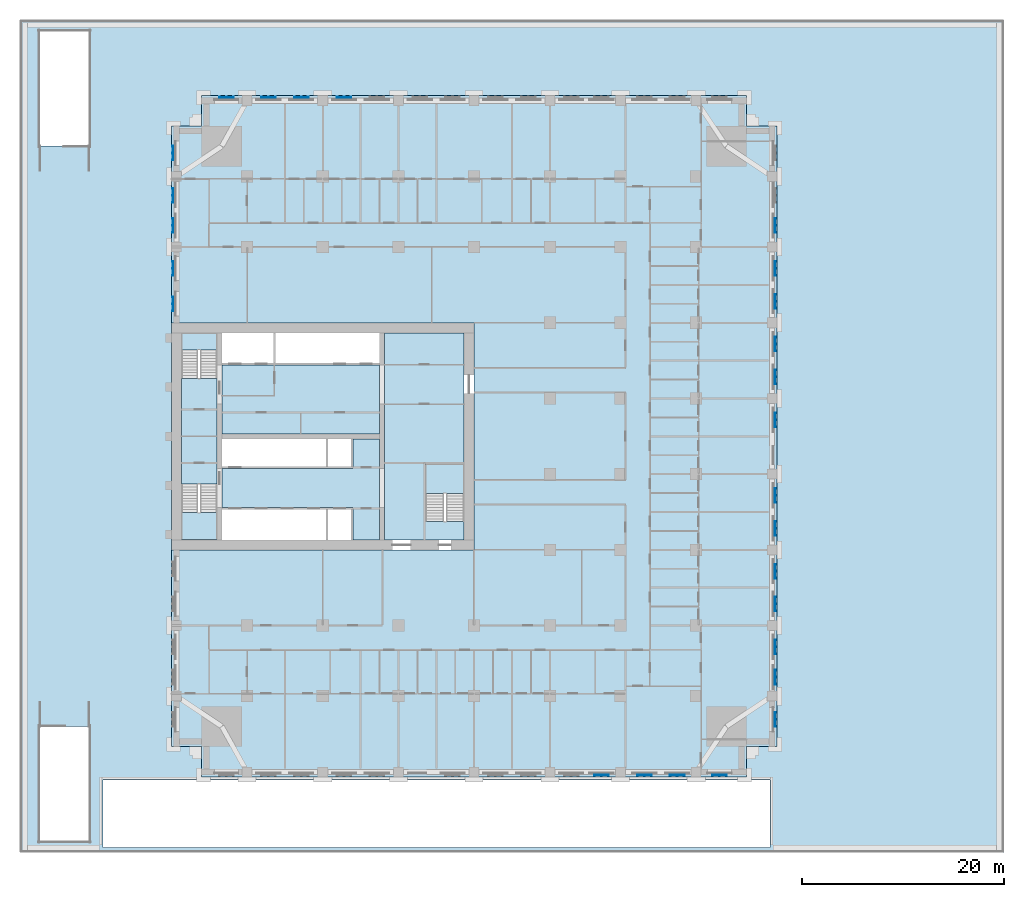
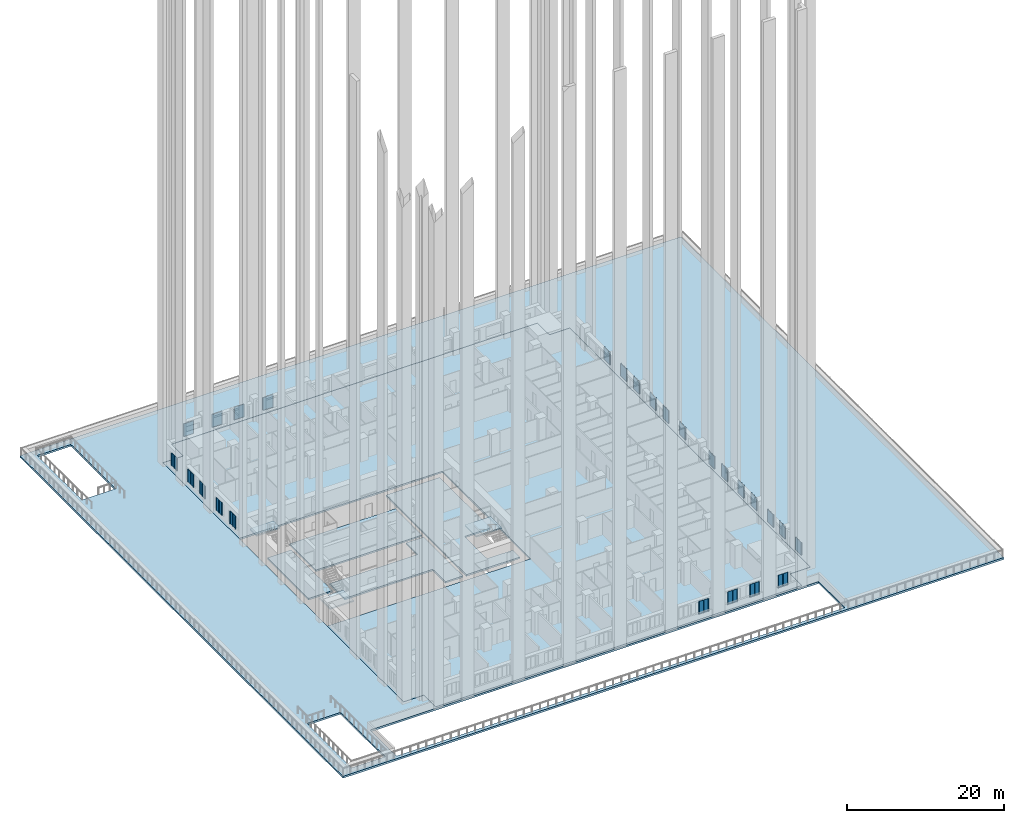
# One storey, part 2 of 27: 26 plates, 9 slabs, 3 elements without a shape of their own.
"""IFC4 building model written with IfcOpenShell, lengths in metres."""

from ifc_helpers import new_model, si_unit, direction, frame, origin, place, context, subcontext, project, spatial, polyline, outline, extrude, material, layer, layer_set, type_object, element, aggregate, save


model = new_model("IFC4")

# Units and contexts
model_context = context("Model", 3, precision=1e-05, world=origin(), true_north=direction((0.0, 1.0)))
body_context = subcontext(model_context, "Body", "Model", "MODEL_VIEW")
ifc_project = project(units=[si_unit("LENGTHUNIT", "METRE"), si_unit("AREAUNIT", "SQUARE_METRE"), si_unit("VOLUMEUNIT", "CUBIC_METRE"), si_unit("PLANEANGLEUNIT", "RADIAN"), si_unit("MASSUNIT", "GRAM", prefix="KILO")], contexts=[model_context])

# Site, building, storey
site_placement = place(None, origin())
site = spatial("IfcSite", under=ifc_project, at=site_placement, CompositionType="ELEMENT")
building_placement = place(site_placement, origin())
building = spatial("IfcBuilding", under=site, at=building_placement, Name="Tamorin Gate", CompositionType="ELEMENT")
storey_placement = place(building_placement, frame((0.0, 0.0, 34.0)))
storey = spatial("IfcBuildingStorey", under=building, at=storey_placement, Name="L06", CompositionType="ELEMENT", Elevation=34.0)

# Slabs
ifc_material_1 = material(Name="Concrete C40/50", Category="concrete")
ifc_layer_1 = layer(ifc_material_1, 0.25)
ifc_layer_set_1 = layer_set([ifc_layer_1], Name="Core floor slab 250 C40/50")
slab_type_1 = type_object("IfcSlabType", Name="Core floor slab 250 C40/50", PredefinedType="FLOOR", material=ifc_layer_set_1)
slab_1_placement = place(storey_placement, frame((0.0, 0.0, -0.25)))
element("IfcSlab", 1, at=slab_1_placement, inside=storey, type_object=slab_type_1, Name="Core floor L06", PredefinedType="FLOOR", context=body_context, shape_type="SweptSolid", body=[
    extrude(outline(polyline([(59.0, 62.800048828125), (59.0, 61.0), (51.10009765625, 61.0), (51.10009765625, 81.5), (59.0, 81.5), (59.0, 68.5), (55.199951171875, 68.5), (55.199951171875, 62.800048828125), (59.0, 62.800048828125)])), origin(), (0.0, 0.0, 1.0), 0.25),
])
slab_2_placement = place(storey_placement, frame((0.0, 0.0, -0.25)))
element("IfcSlab", 2, at=slab_2_placement, inside=storey, type_object=slab_type_1, Name="Core floor L06", PredefinedType="FLOOR", context=body_context, shape_type="SweptSolid", body=[
    extrude(outline(polyline([(50.60009765625, 61.0), (48.0, 61.0), (48.0, 64.199951171875), (35.0, 64.199951171875), (35.0, 68.050048828125), (48.0, 68.050048828125), (48.0, 71.0), (50.60009765625, 71.0), (50.60009765625, 61.0)])), origin(), (0.0, 0.0, 1.0), 0.25),
])
slab_3_placement = place(storey_placement, frame((0.0, 0.0, -0.25)))
element("IfcSlab", 3, at=slab_3_placement, inside=storey, type_object=slab_type_1, Name="Core floor L06", PredefinedType="FLOOR", context=body_context, shape_type="SweptSolid", body=[
    extrude(outline(polyline([(50.60009765625, 71.5), (35.0, 71.5), (35.0, 78.300048828125), (50.60009765625, 78.300048828125), (50.60009765625, 71.5)])), origin(), (0.0, 0.0, 1.0), 0.25),
])
slab_4_placement = place(storey_placement, frame((0.0, 0.0, -0.25)))
element("IfcSlab", 4, at=slab_4_placement, inside=storey, type_object=slab_type_1, Name="Core floor L06", PredefinedType="FLOOR", context=body_context, shape_type="SweptSolid", body=[
    extrude(outline(polyline([(31.0, 66.5), (31.0, 77.0), (34.5, 77.0), (34.5, 66.5), (31.0, 66.5)])), origin(), (0.0, 0.0, 1.0), 0.25),
])

# Stair, slab
stair_type = type_object("IfcStairType", Name="Exit stair", PredefinedType="HALF_TURN_STAIR", material=ifc_material_1)
stair_1_placement = place(storey_placement, origin())
stair_1 = element("IfcStair", 5, at=stair_1_placement, inside=storey, type_object=stair_type, Name="L06 stair ST1", PredefinedType="HALF_TURN_STAIR")
ifc_layer_2 = layer(ifc_material_1, 0.199951171875)
ifc_layer_set_2 = layer_set([ifc_layer_2], Name="Exit stair landing 200")
slab_type_2 = type_object("IfcSlabType", Name="Exit stair landing 200", PredefinedType="LANDING", material=ifc_layer_set_2)
slab_5_placement = place(storey_placement, frame((0.0, 0.0, 1.60009765625)))
slab_5 = element("IfcSlab", 6, at=slab_5_placement, type_object=slab_type_2, Name="ST1 landing 1", PredefinedType="LANDING", context=body_context, shape_type="SweptSolid", body=[
    extrude(outline(polyline([(31.0, 63.699951171875), (31.0, 61.0), (34.5, 61.0), (34.5, 63.699951171875), (31.0, 63.699951171875)])), origin(), (0.0, 0.0, 1.0), 0.199951171875),
])
aggregate(stair_1, [slab_5])

stair_2_placement = place(storey_placement, origin())
stair_2 = element("IfcStair", 7, at=stair_2_placement, inside=storey, type_object=stair_type, Name="L06 stair ST2", PredefinedType="HALF_TURN_STAIR")
slab_6_placement = place(storey_placement, frame((0.0, 0.0, 1.60009765625)))
slab_6 = element("IfcSlab", 8, at=slab_6_placement, type_object=slab_type_2, Name="ST2 landing 1", PredefinedType="LANDING", context=body_context, shape_type="SweptSolid", body=[
    extrude(outline(polyline([(34.5, 79.800048828125), (34.5, 81.5), (31.0, 81.5), (31.0, 79.800048828125), (34.5, 79.800048828125)])), origin(), (0.0, 0.0, 1.0), 0.199951171875),
])
aggregate(stair_2, [slab_6])

stair_3_placement = place(storey_placement, origin())
stair_3 = element("IfcStair", 9, at=stair_3_placement, inside=storey, type_object=stair_type, Name="L06 stair ST3", PredefinedType="HALF_TURN_STAIR")
slab_7_placement = place(storey_placement, frame((0.0, 0.0, 1.60009765625)))
slab_7 = element("IfcSlab", 10, at=slab_7_placement, type_object=slab_type_2, Name="ST3 landing 1", PredefinedType="LANDING", context=body_context, shape_type="SweptSolid", body=[
    extrude(outline(polyline([(59.0, 65.60009765625), (59.0, 68.5), (55.199951171875, 68.5), (55.199951171875, 65.60009765625), (59.0, 65.60009765625)])), origin(), (0.0, 0.0, 1.0), 0.199951171875),
])
aggregate(stair_3, [slab_7])

# Slab
ifc_layer_3 = layer(ifc_material_1, 0.25)
ifc_layer_set_3 = layer_set([ifc_layer_3], Name="Floor slab 250 C40/50")
slab_type_3 = type_object("IfcSlabType", Name="Floor slab 250 C40/50", PredefinedType="FLOOR", material=ifc_layer_set_3)
slab_8_placement = place(storey_placement, frame((0.0, 0.0, -0.25)))
element("IfcSlab", 11, at=slab_8_placement, inside=storey, type_object=slab_type_3, Name="Floor L06", PredefinedType="FLOOR", context=body_context, shape_type="SweptSolid", body=[
    extrude(outline(polyline([(30.0, 102.0), (33.0, 102.0), (33.0, 105.0), (87.0, 105.0), (87.0, 102.0), (90.0, 102.0), (90.0, 40.5), (87.0, 40.5), (87.0, 37.5), (33.0, 37.5), (33.0, 40.5), (30.0, 40.5), (30.0, 60.0), (60.0, 60.0), (60.0, 82.5), (30.0, 82.5), (30.0, 102.0)])), origin(), (0.0, 0.0, 1.0), 0.25),
])

# Plates
ifc_material_2 = material(Name="Perforated pale aluminium sheet", Category="aluminium")
ifc_layer_4 = layer(ifc_material_2, 0.0400390625)
ifc_layer_set_4 = layer_set([ifc_layer_4], Name="Pale metal solar screen 1440")
plate_type = type_object("IfcPlateType", Name="Pale metal solar screen 1440", PredefinedType="SHEET", material=ifc_layer_set_4)
plate_1_placement = place(storey_placement, frame((0.0, 0.0, 0.7099609375)))
element("IfcPlate", 12, at=plate_1_placement, inside=storey, type_object=plate_type, Name="Perforated solar screen", PredefinedType="SHEET", context=body_context, shape_type="SweptSolid", body=[
    extrude(outline(polyline([(71.905029296875, 37.659912109375), (71.905029296875, 37.699951171875), (71.965087890625, 37.699951171875), (72.594970703125, 37.699951171875), (72.655029296875, 37.699951171875), (73.284912109375, 37.699951171875), (73.344970703125, 37.699951171875), (73.344970703125, 37.659912109375), (73.344970703125, 37.60009765625), (73.284912109375, 37.60009765625), (73.284912109375, 37.659912109375), (72.655029296875, 37.659912109375), (72.655029296875, 37.60009765625), (72.594970703125, 37.60009765625), (72.594970703125, 37.659912109375), (71.965087890625, 37.659912109375), (71.965087890625, 37.60009765625), (71.905029296875, 37.60009765625), (71.905029296875, 37.659912109375)])), origin(), (0.0, 0.0, 1.0), 1.97998046875),
])
plate_2_placement = place(storey_placement, frame((0.0, 0.0, 0.7099609375)))
element("IfcPlate", 13, at=plate_2_placement, inside=storey, type_object=plate_type, Name="Perforated solar screen", PredefinedType="SHEET", context=body_context, shape_type="SweptSolid", body=[
    extrude(outline(polyline([(76.155029296875, 37.659912109375), (76.155029296875, 37.699951171875), (76.215087890625, 37.699951171875), (76.844970703125, 37.699951171875), (76.905029296875, 37.699951171875), (77.534912109375, 37.699951171875), (77.594970703125, 37.699951171875), (77.594970703125, 37.659912109375), (77.594970703125, 37.60009765625), (77.534912109375, 37.60009765625), (77.534912109375, 37.659912109375), (76.905029296875, 37.659912109375), (76.905029296875, 37.60009765625), (76.844970703125, 37.60009765625), (76.844970703125, 37.659912109375), (76.215087890625, 37.659912109375), (76.215087890625, 37.60009765625), (76.155029296875, 37.60009765625), (76.155029296875, 37.659912109375)])), origin(), (0.0, 0.0, 1.0), 1.97998046875),
])
plate_3_placement = place(storey_placement, frame((0.0, 0.0, 0.7099609375)))
element("IfcPlate", 14, at=plate_3_placement, inside=storey, type_object=plate_type, Name="Perforated solar screen", PredefinedType="SHEET", context=body_context, shape_type="SweptSolid", body=[
    extrude(outline(polyline([(79.405029296875, 37.659912109375), (79.405029296875, 37.699951171875), (79.465087890625, 37.699951171875), (80.094970703125, 37.699951171875), (80.155029296875, 37.699951171875), (80.784912109375, 37.699951171875), (80.844970703125, 37.699951171875), (80.844970703125, 37.659912109375), (80.844970703125, 37.60009765625), (80.784912109375, 37.60009765625), (80.784912109375, 37.659912109375), (80.155029296875, 37.659912109375), (80.155029296875, 37.60009765625), (80.094970703125, 37.60009765625), (80.094970703125, 37.659912109375), (79.465087890625, 37.659912109375), (79.465087890625, 37.60009765625), (79.405029296875, 37.60009765625), (79.405029296875, 37.659912109375)])), origin(), (0.0, 0.0, 1.0), 1.97998046875),
])
plate_4_placement = place(storey_placement, frame((0.0, 0.0, 0.7099609375)))
element("IfcPlate", 15, at=plate_4_placement, inside=storey, type_object=plate_type, Name="Perforated solar screen", PredefinedType="SHEET", context=body_context, shape_type="SweptSolid", body=[
    extrude(outline(polyline([(83.580078125, 37.659912109375), (83.580078125, 37.699951171875), (83.639892578125, 37.699951171875), (84.27001953125, 37.699951171875), (84.330078125, 37.699951171875), (84.9599609375, 37.699951171875), (85.02001953125, 37.699951171875), (85.02001953125, 37.659912109375), (85.02001953125, 37.60009765625), (84.9599609375, 37.60009765625), (84.9599609375, 37.659912109375), (84.330078125, 37.659912109375), (84.330078125, 37.60009765625), (84.27001953125, 37.60009765625), (84.27001953125, 37.659912109375), (83.639892578125, 37.659912109375), (83.639892578125, 37.60009765625), (83.580078125, 37.60009765625), (83.580078125, 37.659912109375)])), origin(), (0.0, 0.0, 1.0), 1.97998046875),
])
plate_5_placement = place(storey_placement, frame((0.0, 0.0, 0.7099609375)))
element("IfcPlate", 16, at=plate_5_placement, inside=storey, type_object=plate_type, Name="Perforated solar screen", PredefinedType="SHEET", context=body_context, shape_type="SweptSolid", body=[
    extrude(outline(polyline([(89.840087890625, 42.47998046875), (89.800048828125, 42.47998046875), (89.800048828125, 42.5400390625), (89.800048828125, 43.169921875), (89.800048828125, 43.22998046875), (89.800048828125, 43.860107421875), (89.800048828125, 43.919921875), (89.840087890625, 43.919921875), (89.89990234375, 43.919921875), (89.89990234375, 43.860107421875), (89.840087890625, 43.860107421875), (89.840087890625, 43.22998046875), (89.89990234375, 43.22998046875), (89.89990234375, 43.169921875), (89.840087890625, 43.169921875), (89.840087890625, 42.5400390625), (89.89990234375, 42.5400390625), (89.89990234375, 42.47998046875), (89.840087890625, 42.47998046875)])), origin(), (0.0, 0.0, 1.0), 1.97998046875),
])
plate_6_placement = place(storey_placement, frame((0.0, 0.0, 0.7099609375)))
element("IfcPlate", 17, at=plate_6_placement, inside=storey, type_object=plate_type, Name="Perforated solar screen", PredefinedType="SHEET", context=body_context, shape_type="SweptSolid", body=[
    extrude(outline(polyline([(89.840087890625, 46.655029296875), (89.800048828125, 46.655029296875), (89.800048828125, 46.715087890625), (89.800048828125, 47.344970703125), (89.800048828125, 47.405029296875), (89.800048828125, 48.034912109375), (89.800048828125, 48.094970703125), (89.800048828125, 48.094970703125), (89.840087890625, 48.094970703125), (89.840087890625, 48.094970703125), (89.89990234375, 48.094970703125), (89.89990234375, 48.034912109375), (89.840087890625, 48.034912109375), (89.840087890625, 47.405029296875), (89.89990234375, 47.405029296875), (89.89990234375, 47.344970703125), (89.840087890625, 47.344970703125), (89.840087890625, 46.715087890625), (89.89990234375, 46.715087890625), (89.89990234375, 46.655029296875), (89.840087890625, 46.655029296875)])), origin(), (0.0, 0.0, 1.0), 1.97998046875),
])
plate_7_placement = place(storey_placement, frame((0.0, 0.0, 0.7099609375)))
element("IfcPlate", 18, at=plate_7_placement, inside=storey, type_object=plate_type, Name="Perforated solar screen", PredefinedType="SHEET", context=body_context, shape_type="SweptSolid", body=[
    extrude(outline(polyline([(89.840087890625, 49.655029296875), (89.800048828125, 49.655029296875), (89.800048828125, 49.715087890625), (89.800048828125, 50.344970703125), (89.800048828125, 50.405029296875), (89.800048828125, 51.034912109375), (89.800048828125, 51.094970703125), (89.840087890625, 51.094970703125), (89.89990234375, 51.094970703125), (89.89990234375, 51.034912109375), (89.840087890625, 51.034912109375), (89.840087890625, 50.405029296875), (89.89990234375, 50.405029296875), (89.89990234375, 50.344970703125), (89.840087890625, 50.344970703125), (89.840087890625, 49.715087890625), (89.89990234375, 49.715087890625), (89.89990234375, 49.655029296875), (89.840087890625, 49.655029296875)])), origin(), (0.0, 0.0, 1.0), 1.97998046875),
])
plate_8_placement = place(storey_placement, frame((0.0, 0.0, 0.7099609375)))
element("IfcPlate", 19, at=plate_8_placement, inside=storey, type_object=plate_type, Name="Perforated solar screen", PredefinedType="SHEET", context=body_context, shape_type="SweptSolid", body=[
    extrude(outline(polyline([(89.840087890625, 53.905029296875), (89.800048828125, 53.905029296875), (89.800048828125, 53.965087890625), (89.800048828125, 54.594970703125), (89.800048828125, 54.655029296875), (89.800048828125, 55.284912109375), (89.800048828125, 55.344970703125), (89.840087890625, 55.344970703125), (89.89990234375, 55.344970703125), (89.89990234375, 55.284912109375), (89.840087890625, 55.284912109375), (89.840087890625, 54.655029296875), (89.89990234375, 54.655029296875), (89.89990234375, 54.594970703125), (89.840087890625, 54.594970703125), (89.840087890625, 53.965087890625), (89.89990234375, 53.965087890625), (89.89990234375, 53.905029296875), (89.840087890625, 53.905029296875)])), origin(), (0.0, 0.0, 1.0), 1.97998046875),
])
plate_9_placement = place(storey_placement, frame((0.0, 0.0, 0.7099609375)))
element("IfcPlate", 20, at=plate_9_placement, inside=storey, type_object=plate_type, Name="Perforated solar screen", PredefinedType="SHEET", context=body_context, shape_type="SweptSolid", body=[
    extrude(outline(polyline([(89.840087890625, 57.155029296875), (89.800048828125, 57.155029296875), (89.800048828125, 57.215087890625), (89.800048828125, 57.844970703125), (89.800048828125, 57.905029296875), (89.800048828125, 58.534912109375), (89.800048828125, 58.594970703125), (89.840087890625, 58.594970703125), (89.89990234375, 58.594970703125), (89.89990234375, 58.534912109375), (89.840087890625, 58.534912109375), (89.840087890625, 57.905029296875), (89.89990234375, 57.905029296875), (89.89990234375, 57.844970703125), (89.840087890625, 57.844970703125), (89.840087890625, 57.215087890625), (89.89990234375, 57.215087890625), (89.89990234375, 57.155029296875), (89.840087890625, 57.155029296875)])), origin(), (0.0, 0.0, 1.0), 1.97998046875),
])
plate_10_placement = place(storey_placement, frame((0.0, 0.0, 0.7099609375)))
element("IfcPlate", 21, at=plate_10_placement, inside=storey, type_object=plate_type, Name="Perforated solar screen", PredefinedType="SHEET", context=body_context, shape_type="SweptSolid", body=[
    extrude(outline(polyline([(89.840087890625, 61.405029296875), (89.800048828125, 61.405029296875), (89.800048828125, 61.465087890625), (89.800048828125, 62.094970703125), (89.800048828125, 62.155029296875), (89.800048828125, 62.784912109375), (89.800048828125, 62.844970703125), (89.840087890625, 62.844970703125), (89.89990234375, 62.844970703125), (89.89990234375, 62.784912109375), (89.840087890625, 62.784912109375), (89.840087890625, 62.155029296875), (89.89990234375, 62.155029296875), (89.89990234375, 62.094970703125), (89.840087890625, 62.094970703125), (89.840087890625, 61.465087890625), (89.89990234375, 61.465087890625), (89.89990234375, 61.405029296875), (89.840087890625, 61.405029296875)])), origin(), (0.0, 0.0, 1.0), 1.97998046875),
])
plate_11_placement = place(storey_placement, frame((0.0, 0.0, 0.7099609375)))
element("IfcPlate", 22, at=plate_11_placement, inside=storey, type_object=plate_type, Name="Perforated solar screen", PredefinedType="SHEET", context=body_context, shape_type="SweptSolid", body=[
    extrude(outline(polyline([(89.840087890625, 64.655029296875), (89.800048828125, 64.655029296875), (89.800048828125, 64.715087890625), (89.800048828125, 65.344970703125), (89.800048828125, 65.405029296875), (89.800048828125, 66.034912109375), (89.800048828125, 66.094970703125), (89.840087890625, 66.094970703125), (89.89990234375, 66.094970703125), (89.89990234375, 66.034912109375), (89.840087890625, 66.034912109375), (89.840087890625, 65.405029296875), (89.89990234375, 65.405029296875), (89.89990234375, 65.344970703125), (89.840087890625, 65.344970703125), (89.840087890625, 64.715087890625), (89.89990234375, 64.715087890625), (89.89990234375, 64.655029296875), (89.840087890625, 64.655029296875)])), origin(), (0.0, 0.0, 1.0), 1.97998046875),
])
plate_12_placement = place(storey_placement, frame((0.0, 0.0, 0.7099609375)))
element("IfcPlate", 23, at=plate_12_placement, inside=storey, type_object=plate_type, Name="Perforated solar screen", PredefinedType="SHEET", context=body_context, shape_type="SweptSolid", body=[
    extrude(outline(polyline([(89.840087890625, 72.155029296875), (89.800048828125, 72.155029296875), (89.800048828125, 72.215087890625), (89.800048828125, 72.844970703125), (89.800048828125, 72.905029296875), (89.800048828125, 73.534912109375), (89.800048828125, 73.594970703125), (89.840087890625, 73.594970703125), (89.89990234375, 73.594970703125), (89.89990234375, 73.534912109375), (89.840087890625, 73.534912109375), (89.840087890625, 72.905029296875), (89.89990234375, 72.905029296875), (89.89990234375, 72.844970703125), (89.840087890625, 72.844970703125), (89.840087890625, 72.215087890625), (89.89990234375, 72.215087890625), (89.89990234375, 72.155029296875), (89.840087890625, 72.155029296875)])), origin(), (0.0, 0.0, 1.0), 1.97998046875),
])
plate_13_placement = place(storey_placement, frame((0.0, 0.0, 0.7099609375)))
element("IfcPlate", 24, at=plate_13_placement, inside=storey, type_object=plate_type, Name="Perforated solar screen", PredefinedType="SHEET", context=body_context, shape_type="SweptSolid", body=[
    extrude(outline(polyline([(89.840087890625, 76.405029296875), (89.800048828125, 76.405029296875), (89.800048828125, 76.465087890625), (89.800048828125, 77.094970703125), (89.800048828125, 77.155029296875), (89.800048828125, 77.784912109375), (89.800048828125, 77.844970703125), (89.840087890625, 77.844970703125), (89.89990234375, 77.844970703125), (89.89990234375, 77.784912109375), (89.840087890625, 77.784912109375), (89.840087890625, 77.155029296875), (89.89990234375, 77.155029296875), (89.89990234375, 77.094970703125), (89.840087890625, 77.094970703125), (89.840087890625, 76.465087890625), (89.89990234375, 76.465087890625), (89.89990234375, 76.405029296875), (89.840087890625, 76.405029296875)])), origin(), (0.0, 0.0, 1.0), 1.97998046875),
])
plate_14_placement = place(storey_placement, frame((0.0, 0.0, 0.7099609375)))
element("IfcPlate", 25, at=plate_14_placement, inside=storey, type_object=plate_type, Name="Perforated solar screen", PredefinedType="SHEET", context=body_context, shape_type="SweptSolid", body=[
    extrude(outline(polyline([(89.840087890625, 79.655029296875), (89.800048828125, 79.655029296875), (89.800048828125, 79.715087890625), (89.800048828125, 80.344970703125), (89.800048828125, 80.405029296875), (89.800048828125, 81.034912109375), (89.800048828125, 81.094970703125), (89.840087890625, 81.094970703125), (89.89990234375, 81.094970703125), (89.89990234375, 81.034912109375), (89.840087890625, 81.034912109375), (89.840087890625, 80.405029296875), (89.89990234375, 80.405029296875), (89.89990234375, 80.344970703125), (89.840087890625, 80.344970703125), (89.840087890625, 79.715087890625), (89.89990234375, 79.715087890625), (89.89990234375, 79.655029296875), (89.840087890625, 79.655029296875)])), origin(), (0.0, 0.0, 1.0), 1.97998046875),
])
plate_15_placement = place(storey_placement, frame((0.0, 0.0, 0.7099609375)))
element("IfcPlate", 26, at=plate_15_placement, inside=storey, type_object=plate_type, Name="Perforated solar screen", PredefinedType="SHEET", context=body_context, shape_type="SweptSolid", body=[
    extrude(outline(polyline([(89.840087890625, 83.905029296875), (89.800048828125, 83.905029296875), (89.800048828125, 83.965087890625), (89.800048828125, 84.594970703125), (89.800048828125, 84.655029296875), (89.800048828125, 85.284912109375), (89.800048828125, 85.344970703125), (89.840087890625, 85.344970703125), (89.89990234375, 85.344970703125), (89.89990234375, 85.284912109375), (89.840087890625, 85.284912109375), (89.840087890625, 84.655029296875), (89.89990234375, 84.655029296875), (89.89990234375, 84.594970703125), (89.840087890625, 84.594970703125), (89.840087890625, 83.965087890625), (89.89990234375, 83.965087890625), (89.89990234375, 83.905029296875), (89.840087890625, 83.905029296875)])), origin(), (0.0, 0.0, 1.0), 1.97998046875),
])
plate_16_placement = place(storey_placement, frame((0.0, 0.0, 0.7099609375)))
element("IfcPlate", 27, at=plate_16_placement, inside=storey, type_object=plate_type, Name="Perforated solar screen", PredefinedType="SHEET", context=body_context, shape_type="SweptSolid", body=[
    extrude(outline(polyline([(89.840087890625, 87.155029296875), (89.800048828125, 87.155029296875), (89.800048828125, 87.215087890625), (89.800048828125, 87.844970703125), (89.800048828125, 87.905029296875), (89.800048828125, 88.534912109375), (89.800048828125, 88.594970703125), (89.840087890625, 88.594970703125), (89.89990234375, 88.594970703125), (89.89990234375, 88.534912109375), (89.840087890625, 88.534912109375), (89.840087890625, 87.905029296875), (89.89990234375, 87.905029296875), (89.89990234375, 87.844970703125), (89.840087890625, 87.844970703125), (89.840087890625, 87.215087890625), (89.89990234375, 87.215087890625), (89.89990234375, 87.155029296875), (89.840087890625, 87.155029296875)])), origin(), (0.0, 0.0, 1.0), 1.97998046875),
])
plate_17_placement = place(storey_placement, frame((0.0, 0.0, 0.7099609375)))
element("IfcPlate", 28, at=plate_17_placement, inside=storey, type_object=plate_type, Name="Perforated solar screen", PredefinedType="SHEET", context=body_context, shape_type="SweptSolid", body=[
    extrude(outline(polyline([(89.840087890625, 91.405029296875), (89.800048828125, 91.405029296875), (89.800048828125, 91.465087890625), (89.800048828125, 92.094970703125), (89.800048828125, 92.155029296875), (89.800048828125, 92.784912109375), (89.800048828125, 92.844970703125), (89.840087890625, 92.844970703125), (89.89990234375, 92.844970703125), (89.89990234375, 92.784912109375), (89.840087890625, 92.784912109375), (89.840087890625, 92.155029296875), (89.89990234375, 92.155029296875), (89.89990234375, 92.094970703125), (89.840087890625, 92.094970703125), (89.840087890625, 91.465087890625), (89.89990234375, 91.465087890625), (89.89990234375, 91.405029296875), (89.840087890625, 91.405029296875)])), origin(), (0.0, 0.0, 1.0), 1.97998046875),
])
plate_18_placement = place(storey_placement, frame((0.0, 0.0, 0.7099609375)))
element("IfcPlate", 29, at=plate_18_placement, inside=storey, type_object=plate_type, Name="Perforated solar screen", PredefinedType="SHEET", context=body_context, shape_type="SweptSolid", body=[
    extrude(outline(polyline([(47.844970703125, 104.840087890625), (47.844970703125, 104.800048828125), (47.784912109375, 104.800048828125), (47.155029296875, 104.800048828125), (47.094970703125, 104.800048828125), (46.465087890625, 104.800048828125), (46.405029296875, 104.800048828125), (46.405029296875, 104.840087890625), (46.405029296875, 104.89990234375), (46.465087890625, 104.89990234375), (46.465087890625, 104.840087890625), (47.094970703125, 104.840087890625), (47.094970703125, 104.89990234375), (47.155029296875, 104.89990234375), (47.155029296875, 104.840087890625), (47.784912109375, 104.840087890625), (47.784912109375, 104.89990234375), (47.844970703125, 104.89990234375), (47.844970703125, 104.840087890625)])), origin(), (0.0, 0.0, 1.0), 1.97998046875),
])
plate_19_placement = place(storey_placement, frame((0.0, 0.0, 0.7099609375)))
element("IfcPlate", 30, at=plate_19_placement, inside=storey, type_object=plate_type, Name="Perforated solar screen", PredefinedType="SHEET", context=body_context, shape_type="SweptSolid", body=[
    extrude(outline(polyline([(40.344970703125, 104.840087890625), (40.344970703125, 104.800048828125), (40.284912109375, 104.800048828125), (39.655029296875, 104.800048828125), (39.594970703125, 104.800048828125), (38.965087890625, 104.800048828125), (38.905029296875, 104.800048828125), (38.905029296875, 104.840087890625), (38.905029296875, 104.89990234375), (38.965087890625, 104.89990234375), (38.965087890625, 104.840087890625), (39.594970703125, 104.840087890625), (39.594970703125, 104.89990234375), (39.655029296875, 104.89990234375), (39.655029296875, 104.840087890625), (40.284912109375, 104.840087890625), (40.284912109375, 104.89990234375), (40.344970703125, 104.89990234375), (40.344970703125, 104.840087890625)])), origin(), (0.0, 0.0, 1.0), 1.97998046875),
])
plate_20_placement = place(storey_placement, frame((0.0, 0.0, 0.7099609375)))
element("IfcPlate", 31, at=plate_20_placement, inside=storey, type_object=plate_type, Name="Perforated solar screen", PredefinedType="SHEET", context=body_context, shape_type="SweptSolid", body=[
    extrude(outline(polyline([(43.594970703125, 104.840087890625), (43.594970703125, 104.800048828125), (43.534912109375, 104.800048828125), (42.905029296875, 104.800048828125), (42.844970703125, 104.800048828125), (42.215087890625, 104.800048828125), (42.155029296875, 104.800048828125), (42.155029296875, 104.840087890625), (42.155029296875, 104.89990234375), (42.215087890625, 104.89990234375), (42.215087890625, 104.840087890625), (42.844970703125, 104.840087890625), (42.844970703125, 104.89990234375), (42.905029296875, 104.89990234375), (42.905029296875, 104.840087890625), (43.534912109375, 104.840087890625), (43.534912109375, 104.89990234375), (43.594970703125, 104.89990234375), (43.594970703125, 104.840087890625)])), origin(), (0.0, 0.0, 1.0), 1.97998046875),
])
plate_21_placement = place(storey_placement, frame((0.0, 0.0, 0.7099609375)))
element("IfcPlate", 32, at=plate_21_placement, inside=storey, type_object=plate_type, Name="Perforated solar screen", PredefinedType="SHEET", context=body_context, shape_type="SweptSolid", body=[
    extrude(outline(polyline([(36.169921875, 104.840087890625), (36.169921875, 104.800048828125), (36.110107421875, 104.800048828125), (35.47998046875, 104.800048828125), (35.419921875, 104.800048828125), (34.7900390625, 104.800048828125), (34.72998046875, 104.800048828125), (34.72998046875, 104.840087890625), (34.72998046875, 104.89990234375), (34.7900390625, 104.89990234375), (34.7900390625, 104.840087890625), (35.419921875, 104.840087890625), (35.419921875, 104.89990234375), (35.47998046875, 104.89990234375), (35.47998046875, 104.840087890625), (36.110107421875, 104.840087890625), (36.110107421875, 104.89990234375), (36.169921875, 104.89990234375), (36.169921875, 104.840087890625)])), origin(), (0.0, 0.0, 1.0), 1.97998046875),
])
plate_22_placement = place(storey_placement, frame((0.0, 0.0, 0.7099609375)))
element("IfcPlate", 33, at=plate_22_placement, inside=storey, type_object=plate_type, Name="Perforated solar screen", PredefinedType="SHEET", context=body_context, shape_type="SweptSolid", body=[
    extrude(outline(polyline([(30.159912109375, 100.02001953125), (30.199951171875, 100.02001953125), (30.199951171875, 99.9599609375), (30.199951171875, 99.330078125), (30.199951171875, 99.27001953125), (30.199951171875, 98.639892578125), (30.199951171875, 98.580078125), (30.159912109375, 98.580078125), (30.10009765625, 98.580078125), (30.10009765625, 98.639892578125), (30.159912109375, 98.639892578125), (30.159912109375, 99.27001953125), (30.10009765625, 99.27001953125), (30.10009765625, 99.330078125), (30.159912109375, 99.330078125), (30.159912109375, 99.9599609375), (30.10009765625, 99.9599609375), (30.10009765625, 100.02001953125), (30.159912109375, 100.02001953125)])), origin(), (0.0, 0.0, 1.0), 1.97998046875),
])
plate_23_placement = place(storey_placement, frame((0.0, 0.0, 0.7099609375)))
element("IfcPlate", 34, at=plate_23_placement, inside=storey, type_object=plate_type, Name="Perforated solar screen", PredefinedType="SHEET", context=body_context, shape_type="SweptSolid", body=[
    extrude(outline(polyline([(30.159912109375, 92.844970703125), (30.199951171875, 92.844970703125), (30.199951171875, 92.784912109375), (30.199951171875, 92.155029296875), (30.199951171875, 92.094970703125), (30.199951171875, 91.465087890625), (30.199951171875, 91.405029296875), (30.159912109375, 91.405029296875), (30.10009765625, 91.405029296875), (30.10009765625, 91.465087890625), (30.159912109375, 91.465087890625), (30.159912109375, 92.094970703125), (30.10009765625, 92.094970703125), (30.10009765625, 92.155029296875), (30.159912109375, 92.155029296875), (30.159912109375, 92.784912109375), (30.10009765625, 92.784912109375), (30.10009765625, 92.844970703125), (30.159912109375, 92.844970703125)])), origin(), (0.0, 0.0, 1.0), 1.97998046875),
])
plate_24_placement = place(storey_placement, frame((0.0, 0.0, 0.7099609375)))
element("IfcPlate", 35, at=plate_24_placement, inside=storey, type_object=plate_type, Name="Perforated solar screen", PredefinedType="SHEET", context=body_context, shape_type="SweptSolid", body=[
    extrude(outline(polyline([(30.159912109375, 95.844970703125), (30.199951171875, 95.844970703125), (30.199951171875, 95.784912109375), (30.199951171875, 95.155029296875), (30.199951171875, 95.094970703125), (30.199951171875, 94.465087890625), (30.199951171875, 94.405029296875), (30.199951171875, 94.405029296875), (30.159912109375, 94.405029296875), (30.159912109375, 94.405029296875), (30.10009765625, 94.405029296875), (30.10009765625, 94.465087890625), (30.159912109375, 94.465087890625), (30.159912109375, 95.094970703125), (30.10009765625, 95.094970703125), (30.10009765625, 95.155029296875), (30.159912109375, 95.155029296875), (30.159912109375, 95.784912109375), (30.10009765625, 95.784912109375), (30.10009765625, 95.844970703125), (30.159912109375, 95.844970703125)])), origin(), (0.0, 0.0, 1.0), 1.97998046875),
])
plate_25_placement = place(storey_placement, frame((0.0, 0.0, 0.7099609375)))
element("IfcPlate", 36, at=plate_25_placement, inside=storey, type_object=plate_type, Name="Perforated solar screen", PredefinedType="SHEET", context=body_context, shape_type="SweptSolid", body=[
    extrude(outline(polyline([(30.159912109375, 85.094970703125), (30.199951171875, 85.094970703125), (30.199951171875, 85.034912109375), (30.199951171875, 84.405029296875), (30.199951171875, 84.344970703125), (30.199951171875, 83.715087890625), (30.199951171875, 83.655029296875), (30.159912109375, 83.655029296875), (30.10009765625, 83.655029296875), (30.10009765625, 83.715087890625), (30.159912109375, 83.715087890625), (30.159912109375, 84.344970703125), (30.10009765625, 84.344970703125), (30.10009765625, 84.405029296875), (30.159912109375, 84.405029296875), (30.159912109375, 85.034912109375), (30.10009765625, 85.034912109375), (30.10009765625, 85.094970703125), (30.159912109375, 85.094970703125)])), origin(), (0.0, 0.0, 1.0), 1.97998046875),
])
plate_26_placement = place(storey_placement, frame((0.0, 0.0, 0.7099609375)))
element("IfcPlate", 37, at=plate_26_placement, inside=storey, type_object=plate_type, Name="Perforated solar screen", PredefinedType="SHEET", context=body_context, shape_type="SweptSolid", body=[
    extrude(outline(polyline([(30.159912109375, 88.594970703125), (30.199951171875, 88.594970703125), (30.199951171875, 88.534912109375), (30.199951171875, 87.905029296875), (30.199951171875, 87.844970703125), (30.199951171875, 87.215087890625), (30.199951171875, 87.155029296875), (30.159912109375, 87.155029296875), (30.10009765625, 87.155029296875), (30.10009765625, 87.215087890625), (30.159912109375, 87.215087890625), (30.159912109375, 87.844970703125), (30.10009765625, 87.844970703125), (30.10009765625, 87.905029296875), (30.159912109375, 87.905029296875), (30.159912109375, 88.534912109375), (30.10009765625, 88.534912109375), (30.10009765625, 88.594970703125), (30.159912109375, 88.594970703125)])), origin(), (0.0, 0.0, 1.0), 1.97998046875),
])

# Slab
ifc_layer_5 = layer(ifc_material_1, 0.300048828125)
ifc_layer_set_5 = layer_set([ifc_layer_5], Name="Terrace slab 300 C40/50")
slab_type_4 = type_object("IfcSlabType", Name="Terrace slab 300 C40/50", PredefinedType="ROOF", material=ifc_layer_set_5)
slab_9_placement = place(storey_placement, frame((0.0, 0.0, -0.300048828125)))
element("IfcSlab", 38, at=slab_9_placement, inside=storey, type_object=slab_type_4, Name="Terrace L06", PredefinedType="ROOF", context=body_context, shape_type="SweptSolid", body=[
    extrude(outline(polyline([(15.0, 112.5), (112.5, 112.5), (112.5, 30.0), (15.0, 30.0), (15.0, 112.5)]), holes=[polyline([(87.0, 37.5), (87.0, 40.5), (90.0, 40.5), (90.0, 102.0), (87.0, 102.0), (87.0, 105.0), (33.0, 105.0), (33.0, 102.0), (30.0, 102.0), (30.0, 40.5), (33.0, 40.5), (33.0, 37.5), (87.0, 37.5)]), polyline([(16.925537109375, 42.49951171875), (21.87451171875, 42.49951171875), (21.87451171875, 31.1005859375), (16.925537109375, 31.1005859375), (16.925537109375, 42.49951171875)]), polyline([(21.87451171875, 100.00048828125), (16.925537109375, 100.00048828125), (16.925537109375, 111.3994140625), (21.87451171875, 111.3994140625), (21.87451171875, 100.00048828125)]), polyline([(89.300048828125, 30.5), (89.300048828125, 37.199951171875), (23.199951171875, 37.199951171875), (23.199951171875, 30.5), (89.300048828125, 30.5)])]), origin(), (0.0, 0.0, 1.0), 0.300048828125),
])

save(model, "model.ifc")
